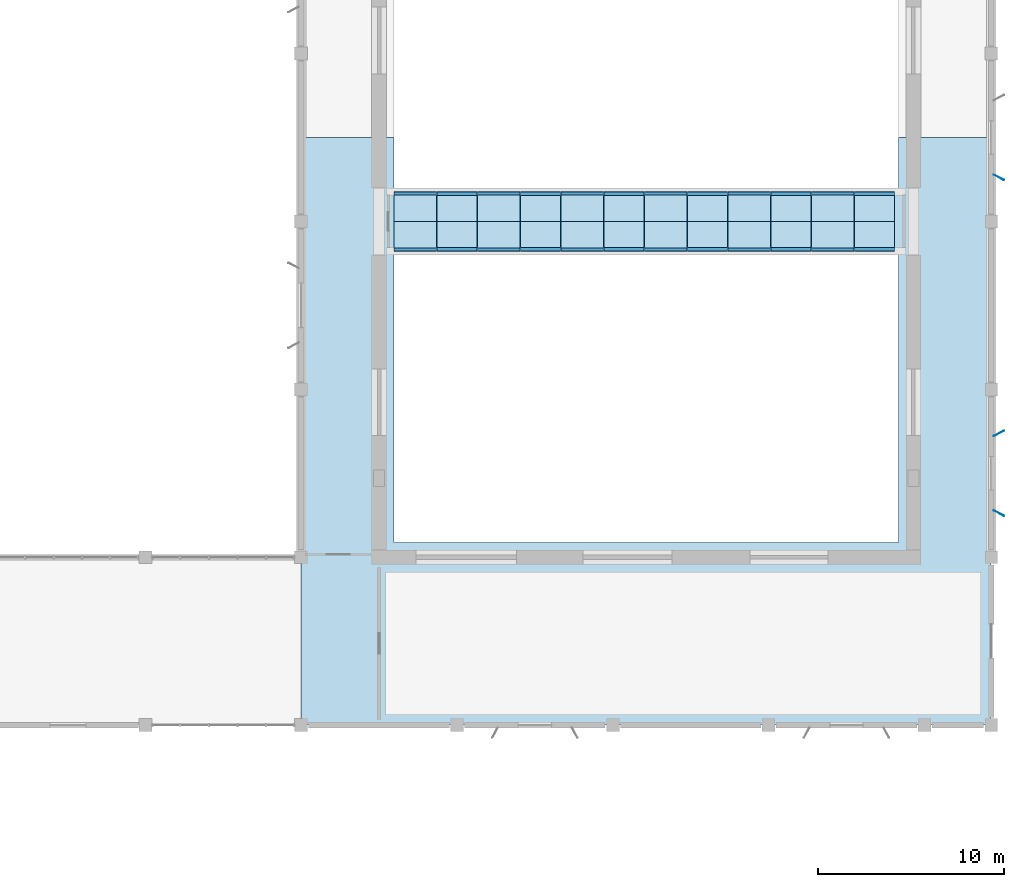
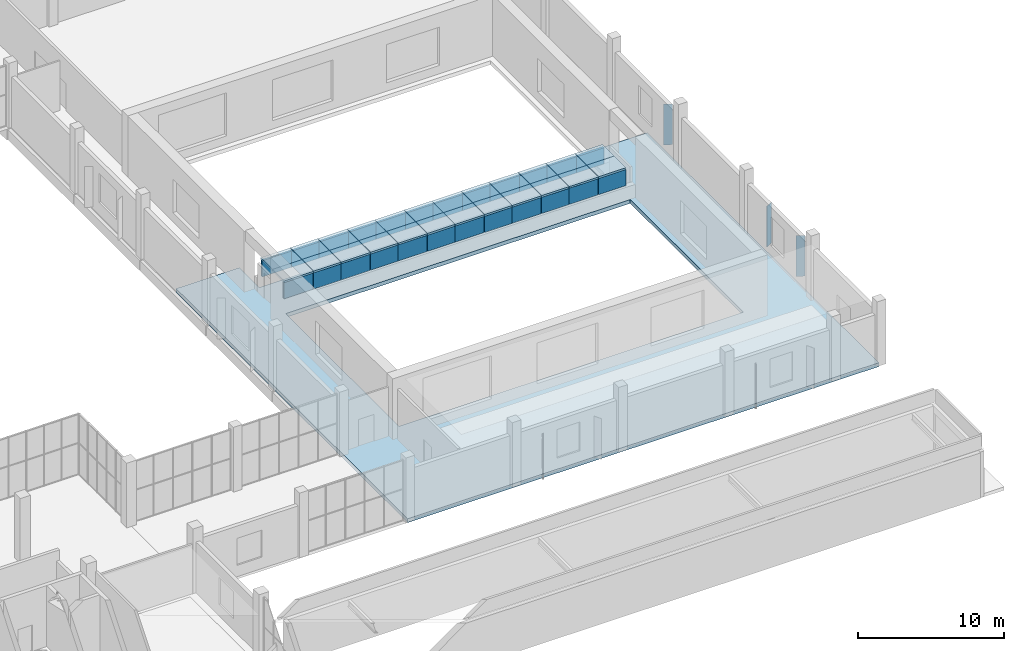
# One storey, part 74 of 91: 51 plates, 1 slab.
"""IFC4 building model written with IfcOpenShell, lengths in metres."""

from ifc_helpers import new_model, si_unit, direction, frame, origin, origin_2d, place, context, subcontext, project, spatial, polyline, rectangle, outline, extrude, material, layer, layer_set, type_object, element, save


model = new_model("IFC4")

# Units and contexts
model_context = context("Model", 3, precision=1e-05, world=origin(), true_north=direction((0.0, 1.0)))
body_context = subcontext(model_context, "Body", "Model", "MODEL_VIEW")
ifc_project = project(units=[si_unit("LENGTHUNIT", "METRE"), si_unit("AREAUNIT", "SQUARE_METRE"), si_unit("VOLUMEUNIT", "CUBIC_METRE"), si_unit("PLANEANGLEUNIT", "RADIAN"), si_unit("MASSUNIT", "GRAM", prefix="KILO")], contexts=[model_context])

# Site, building, storey
site_placement = place(None, origin())
site = spatial("IfcSite", under=ifc_project, at=site_placement, CompositionType="ELEMENT")
building_placement = place(site_placement, origin())
building = spatial("IfcBuilding", under=site, at=building_placement, Name="Khurvash Pelagic Aquarium", CompositionType="ELEMENT")
storey_placement = place(building_placement, origin())
storey = spatial("IfcBuildingStorey", under=building, at=storey_placement, Name="L00", CompositionType="ELEMENT", Elevation=0.0)

# Plates
ifc_material_1 = material(Name="Monolithic cast polymethyl methacrylate PMMA", Category="glass")
ifc_layer_1 = layer(ifc_material_1, 0.1650390625)
ifc_layer_set_1 = layer_set([ifc_layer_1], Name="Monolithic cast polymethyl methacrylate PMMA")
plate_type_1 = type_object("IfcPlateType", Name="AP-01", PredefinedType="USERDEFINED", material=ifc_layer_set_1)
for number, where, z_axis, x_axis, name in (
    (1, (132.14990234375, 46.35009765625, 1.099853515625), (0.0, 0.0, 1.0), (1.0, 0.0, 0.0), "L00 Walkthrough Tunnel South Haunch Acrylic Panel AP-01"),
    (2, (132.14990234375, 49.35009765625, 1.099853515625), (0.0, 0.0, 1.0), (1.0, 0.0, 0.0), "L00 Walkthrough Tunnel North Haunch Acrylic Panel AP-01"),
    (3, (136.64990234375, 46.35009765625, 1.099853515625), (0.0, 0.0, 1.0), (1.0, 0.0, 0.0), "L00 Walkthrough Tunnel South Haunch Acrylic Panel AP-01"),
    (4, (136.64990234375, 49.35009765625, 1.099853515625), (0.0, 0.0, 1.0), (1.0, 0.0, 0.0), "L00 Walkthrough Tunnel North Haunch Acrylic Panel AP-01"),
    (5, (141.14990234375, 46.35009765625, 1.099853515625), (0.0, 0.0, 1.0), (1.0, 0.0, 0.0), "L00 Walkthrough Tunnel South Haunch Acrylic Panel AP-01"),
    (6, (141.14990234375, 49.35009765625, 1.099853515625), (0.0, 0.0, 1.0), (1.0, 0.0, 0.0), "L00 Walkthrough Tunnel North Haunch Acrylic Panel AP-01"),
    (7, (145.64990234375, 46.35009765625, 1.099853515625), (0.0, 0.0, 1.0), (1.0, 0.0, 0.0), "L00 Walkthrough Tunnel South Haunch Acrylic Panel AP-01"),
    (8, (145.64990234375, 49.35009765625, 1.099853515625), (0.0, 0.0, 1.0), (1.0, 0.0, 0.0), "L00 Walkthrough Tunnel North Haunch Acrylic Panel AP-01"),
    (9, (150.14990234375, 46.35009765625, 1.099853515625), (0.0, 0.0, 1.0), (1.0, 0.0, 0.0), "L00 Walkthrough Tunnel South Haunch Acrylic Panel AP-01"),
    (10, (150.14990234375, 49.35009765625, 1.099853515625), (0.0, 0.0, 1.0), (1.0, 0.0, 0.0), "L00 Walkthrough Tunnel North Haunch Acrylic Panel AP-01"),
    (11, (154.64990234375, 46.35009765625, 1.099853515625), (0.0, 0.0, 1.0), (1.0, 0.0, 0.0), "L00 Walkthrough Tunnel South Haunch Acrylic Panel AP-01"),
    (12, (154.64990234375, 49.35009765625, 1.099853515625), (0.0, 0.0, 1.0), (1.0, 0.0, 0.0), "L00 Walkthrough Tunnel North Haunch Acrylic Panel AP-01"),
):
    element("IfcPlate", number, at=place(storey_placement, frame(where, z_axis=z_axis, x_axis=x_axis)), inside=storey, type_object=plate_type_1, Name=name, ObjectType="ACRYLIC TUNNEL PANEL", PredefinedType="USERDEFINED", context=body_context, shape_type="SweptSolid", body=[
        extrude(rectangle(XDim=2.300048828125, YDim=0.1650390625, at=origin_2d()), origin(), (0.0, 0.0, 1.0), 1.35009765625),
    ])
ifc_layer_2 = layer(ifc_material_1, 0.1650390625)
ifc_layer_set_2 = layer_set([ifc_layer_2], Name="Monolithic cast polymethyl methacrylate PMMA")
plate_type_2 = type_object("IfcPlateType", Name="AP-02", PredefinedType="USERDEFINED", material=ifc_layer_set_2)
for number, where, z_axis, x_axis, name in (
    (13, (132.14990234375, 47.050048828125, 2.445556640625), (0.0, 0.0, 1.0), (1.0, 0.0, 0.0), "L00 Walkthrough Tunnel South Crown Acrylic Panel AP-02"),
    (14, (132.14990234375, 48.64990234375, 2.445556640625), (0.0, 0.0, 1.0), (1.0, 0.0, 0.0), "L00 Walkthrough Tunnel North Crown Acrylic Panel AP-02"),
    (15, (136.64990234375, 47.050048828125, 2.445556640625), (0.0, 0.0, 1.0), (1.0, 0.0, 0.0), "L00 Walkthrough Tunnel South Crown Acrylic Panel AP-02"),
    (16, (136.64990234375, 48.64990234375, 2.445556640625), (0.0, 0.0, 1.0), (1.0, 0.0, 0.0), "L00 Walkthrough Tunnel North Crown Acrylic Panel AP-02"),
    (17, (141.14990234375, 47.050048828125, 2.445556640625), (0.0, 0.0, 1.0), (1.0, 0.0, 0.0), "L00 Walkthrough Tunnel South Crown Acrylic Panel AP-02"),
    (18, (141.14990234375, 48.64990234375, 2.445556640625), (0.0, 0.0, 1.0), (1.0, 0.0, 0.0), "L00 Walkthrough Tunnel North Crown Acrylic Panel AP-02"),
    (19, (145.64990234375, 47.050048828125, 2.445556640625), (0.0, 0.0, 1.0), (1.0, 0.0, 0.0), "L00 Walkthrough Tunnel South Crown Acrylic Panel AP-02"),
    (20, (145.64990234375, 48.64990234375, 2.445556640625), (0.0, 0.0, 1.0), (1.0, 0.0, 0.0), "L00 Walkthrough Tunnel North Crown Acrylic Panel AP-02"),
    (21, (150.14990234375, 47.050048828125, 2.445556640625), (0.0, 0.0, 1.0), (1.0, 0.0, 0.0), "L00 Walkthrough Tunnel South Crown Acrylic Panel AP-02"),
    (22, (150.14990234375, 48.64990234375, 2.445556640625), (0.0, 0.0, 1.0), (1.0, 0.0, 0.0), "L00 Walkthrough Tunnel North Crown Acrylic Panel AP-02"),
    (23, (154.64990234375, 47.050048828125, 2.445556640625), (0.0, 0.0, 1.0), (1.0, 0.0, 0.0), "L00 Walkthrough Tunnel South Crown Acrylic Panel AP-02"),
    (24, (154.64990234375, 48.64990234375, 2.445556640625), (0.0, 0.0, 1.0), (1.0, 0.0, 0.0), "L00 Walkthrough Tunnel North Crown Acrylic Panel AP-02"),
):
    element("IfcPlate", number, at=place(storey_placement, frame(where, z_axis=z_axis, x_axis=x_axis)), inside=storey, type_object=plate_type_2, Name=name, ObjectType="ACRYLIC TUNNEL PANEL", PredefinedType="USERDEFINED", context=body_context, shape_type="SweptSolid", body=[
        extrude(rectangle(XDim=2.300048828125, YDim=1.6201171875, at=origin_2d()), origin(), (0.0, 0.0, 1.0), 0.1650390625),
    ])
ifc_layer_3 = layer(ifc_material_1, 0.175048828125)
ifc_layer_set_3 = layer_set([ifc_layer_3], Name="Monolithic cast polymethyl methacrylate PMMA")
plate_type_3 = type_object("IfcPlateType", Name="AP-03", PredefinedType="USERDEFINED", material=ifc_layer_set_3)
for number, where, z_axis, x_axis, name in (
    (25, (134.39990234375, 46.35009765625, 1.099853515625), (0.0, 0.0, 1.0), (1.0, 0.0, 0.0), "L00 Walkthrough Tunnel South Haunch Acrylic Panel AP-03"),
    (26, (134.39990234375, 49.35009765625, 1.099853515625), (0.0, 0.0, 1.0), (1.0, 0.0, 0.0), "L00 Walkthrough Tunnel North Haunch Acrylic Panel AP-03"),
    (27, (138.89990234375, 46.35009765625, 1.099853515625), (0.0, 0.0, 1.0), (1.0, 0.0, 0.0), "L00 Walkthrough Tunnel South Haunch Acrylic Panel AP-03"),
    (28, (138.89990234375, 49.35009765625, 1.099853515625), (0.0, 0.0, 1.0), (1.0, 0.0, 0.0), "L00 Walkthrough Tunnel North Haunch Acrylic Panel AP-03"),
    (29, (143.39990234375, 46.35009765625, 1.099853515625), (0.0, 0.0, 1.0), (1.0, 0.0, 0.0), "L00 Walkthrough Tunnel South Haunch Acrylic Panel AP-03"),
    (30, (143.39990234375, 49.35009765625, 1.099853515625), (0.0, 0.0, 1.0), (1.0, 0.0, 0.0), "L00 Walkthrough Tunnel North Haunch Acrylic Panel AP-03"),
    (31, (147.89990234375, 46.35009765625, 1.099853515625), (0.0, 0.0, 1.0), (1.0, 0.0, 0.0), "L00 Walkthrough Tunnel South Haunch Acrylic Panel AP-03"),
    (32, (147.89990234375, 49.35009765625, 1.099853515625), (0.0, 0.0, 1.0), (1.0, 0.0, 0.0), "L00 Walkthrough Tunnel North Haunch Acrylic Panel AP-03"),
    (33, (152.39990234375, 46.35009765625, 1.099853515625), (0.0, 0.0, 1.0), (1.0, 0.0, 0.0), "L00 Walkthrough Tunnel South Haunch Acrylic Panel AP-03"),
    (34, (152.39990234375, 49.35009765625, 1.099853515625), (0.0, 0.0, 1.0), (1.0, 0.0, 0.0), "L00 Walkthrough Tunnel North Haunch Acrylic Panel AP-03"),
    (35, (156.89990234375, 46.35009765625, 1.099853515625), (0.0, 0.0, 1.0), (1.0, 0.0, 0.0), "L00 Walkthrough Tunnel South Haunch Acrylic Panel AP-03"),
    (36, (156.89990234375, 49.35009765625, 1.099853515625), (0.0, 0.0, 1.0), (1.0, 0.0, 0.0), "L00 Walkthrough Tunnel North Haunch Acrylic Panel AP-03"),
):
    element("IfcPlate", number, at=place(storey_placement, frame(where, z_axis=z_axis, x_axis=x_axis)), inside=storey, type_object=plate_type_3, Name=name, ObjectType="ACRYLIC TUNNEL PANEL", PredefinedType="USERDEFINED", context=body_context, shape_type="SweptSolid", body=[
        extrude(rectangle(XDim=2.14990234375, YDim=0.175048828125, at=origin_2d()), origin(), (0.0, 0.0, 1.0), 1.35009765625),
    ])
ifc_layer_4 = layer(ifc_material_1, 0.175048828125)
ifc_layer_set_4 = layer_set([ifc_layer_4], Name="Monolithic cast polymethyl methacrylate PMMA")
plate_type_4 = type_object("IfcPlateType", Name="AP-04", PredefinedType="USERDEFINED", material=ifc_layer_set_4)
for number, where, z_axis, x_axis, name in (
    (37, (134.39990234375, 47.050048828125, 2.4453125), (0.0, 0.0, 1.0), (1.0, 0.0, 0.0), "L00 Walkthrough Tunnel South Crown Acrylic Panel AP-04"),
    (38, (134.39990234375, 48.64990234375, 2.4453125), (0.0, 0.0, 1.0), (1.0, 0.0, 0.0), "L00 Walkthrough Tunnel North Crown Acrylic Panel AP-04"),
    (39, (138.89990234375, 47.050048828125, 2.4453125), (0.0, 0.0, 1.0), (1.0, 0.0, 0.0), "L00 Walkthrough Tunnel South Crown Acrylic Panel AP-04"),
    (40, (138.89990234375, 48.64990234375, 2.4453125), (0.0, 0.0, 1.0), (1.0, 0.0, 0.0), "L00 Walkthrough Tunnel North Crown Acrylic Panel AP-04"),
    (41, (143.39990234375, 47.050048828125, 2.4453125), (0.0, 0.0, 1.0), (1.0, 0.0, 0.0), "L00 Walkthrough Tunnel South Crown Acrylic Panel AP-04"),
    (42, (143.39990234375, 48.64990234375, 2.4453125), (0.0, 0.0, 1.0), (1.0, 0.0, 0.0), "L00 Walkthrough Tunnel North Crown Acrylic Panel AP-04"),
    (43, (147.89990234375, 47.050048828125, 2.4453125), (0.0, 0.0, 1.0), (1.0, 0.0, 0.0), "L00 Walkthrough Tunnel South Crown Acrylic Panel AP-04"),
    (44, (147.89990234375, 48.64990234375, 2.4453125), (0.0, 0.0, 1.0), (1.0, 0.0, 0.0), "L00 Walkthrough Tunnel North Crown Acrylic Panel AP-04"),
    (45, (152.39990234375, 47.050048828125, 2.4453125), (0.0, 0.0, 1.0), (1.0, 0.0, 0.0), "L00 Walkthrough Tunnel South Crown Acrylic Panel AP-04"),
    (46, (152.39990234375, 48.64990234375, 2.4453125), (0.0, 0.0, 1.0), (1.0, 0.0, 0.0), "L00 Walkthrough Tunnel North Crown Acrylic Panel AP-04"),
    (47, (156.89990234375, 47.050048828125, 2.4453125), (0.0, 0.0, 1.0), (1.0, 0.0, 0.0), "L00 Walkthrough Tunnel South Crown Acrylic Panel AP-04"),
    (48, (156.89990234375, 48.64990234375, 2.4453125), (0.0, 0.0, 1.0), (1.0, 0.0, 0.0), "L00 Walkthrough Tunnel North Crown Acrylic Panel AP-04"),
):
    element("IfcPlate", number, at=place(storey_placement, frame(where, z_axis=z_axis, x_axis=x_axis)), inside=storey, type_object=plate_type_4, Name=name, ObjectType="ACRYLIC TUNNEL PANEL", PredefinedType="USERDEFINED", context=body_context, shape_type="SweptSolid", body=[
        extrude(rectangle(XDim=2.14990234375, YDim=1.6201171875, at=origin_2d()), origin(), (0.0, 0.0, 1.0), 0.175048828125),
    ])

# Slab
ifc_material_2 = material(Name="Concrete C40/50", Category="concrete")
ifc_layer_5 = layer(ifc_material_2, 0.320068359375)
ifc_layer_set_5 = layer_set([ifc_layer_5], Name="Concrete C40/50")
slab_type = type_object("IfcSlabType", Name="FS-320", PredefinedType="FLOOR", material=ifc_layer_set_5)
slab_placement = place(storey_placement, frame((0.0, 0.0, -0.320068359375)))
element("IfcSlab", 49, at=slab_placement, inside=storey, type_object=slab_type, Name="L00 Structural Floor Slab FS-320 V1_TANK.1", PredefinedType="FLOOR", context=body_context, shape_type="SweptSolid", body=[
    extrude(outline(polyline([(126.0, 20.699951171875), (163.199951171875, 20.699951171875), (163.199951171875, 52.375), (158.199951171875, 52.375), (158.199951171875, 49.64990234375), (131.0, 49.64990234375), (131.0, 52.375), (126.0, 52.375), (126.0, 20.699951171875)]), holes=[polyline([(158.199951171875, 46.050048828125), (158.199951171875, 30.550048828125), (131.0, 30.550048828125), (131.0, 46.050048828125), (158.199951171875, 46.050048828125)])]), origin(), (0.0, 0.0, 1.0), 0.320068359375),
])

# Plates
ifc_material_3 = material(Name="Anodised aluminium AW-5005", Category="aluminium")
ifc_layer_6 = layer(ifc_material_3, 0.02392578125)
ifc_layer_set_6 = layer_set([ifc_layer_6], Name="Anodised aluminium AW-5005")
plate_type_5 = type_object("IfcPlateType", Name="SP-01", PredefinedType="SHEET", material=ifc_layer_set_6)
for number, where, z_axis, x_axis, name in (
    (50, (163.60791015625, 32.125, 0.150146484375), (0.0, 0.0, 1.0), (0.882947592859, -0.469471562786, 0.0), "L00 Parametric Folded Aluminium Solar Screen Fin SP-01 0111"),
    (51, (163.60791015625, 36.425048828125, 0.150146484375), (0.0, 0.0, 1.0), (0.882947592859, 0.469471562786, 0.0), "L00 Parametric Folded Aluminium Solar Screen Fin SP-01 0112"),
    (52, (163.60791015625, 50.22509765625, 0.150146484375), (0.0, 0.0, 1.0), (0.882947592859, -0.469471562786, 0.0), "L00 Parametric Folded Aluminium Solar Screen Fin SP-01 0113"),
):
    element("IfcPlate", number, at=place(storey_placement, frame(where, z_axis=z_axis, x_axis=x_axis)), inside=storey, type_object=plate_type_5, Name=name, PredefinedType="SHEET", context=body_context, shape_type="SweptSolid", body=[
        extrude(rectangle(XDim=0.6201171875, YDim=0.02392578125, at=origin_2d()), origin(), (0.0, 0.0, 1.0), 3.39990234375),
    ])

save(model, "model.ifc")
